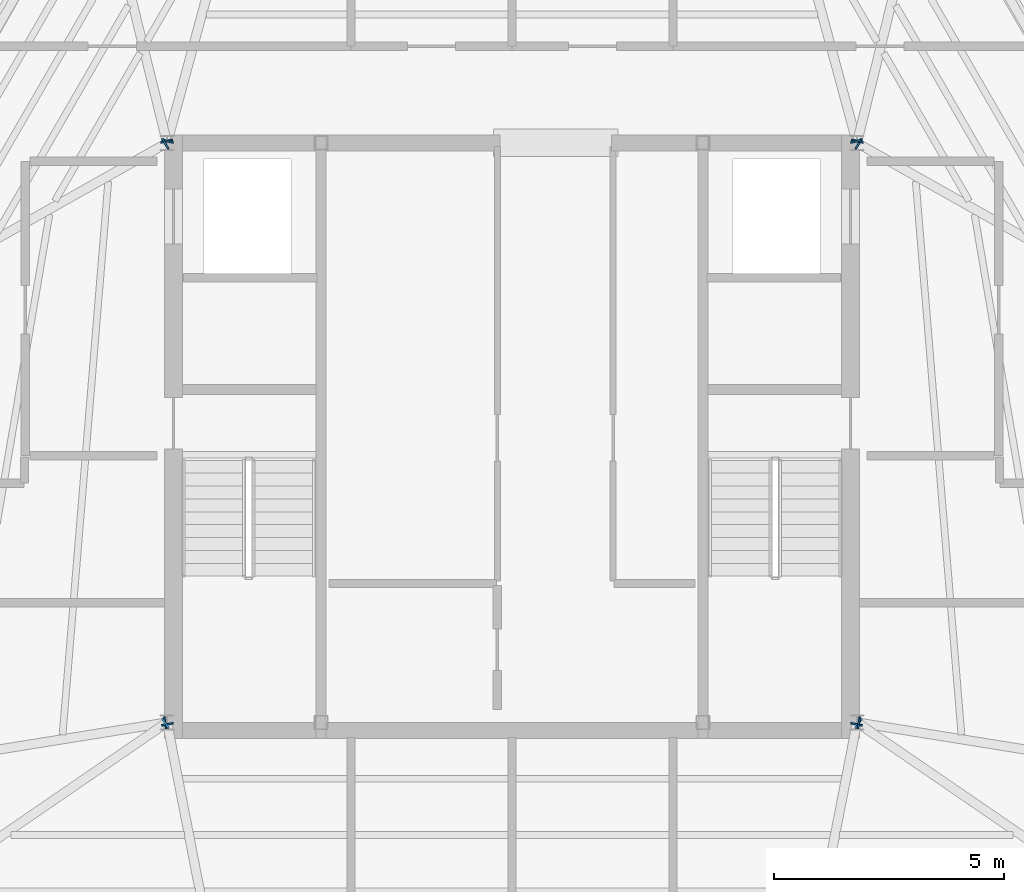
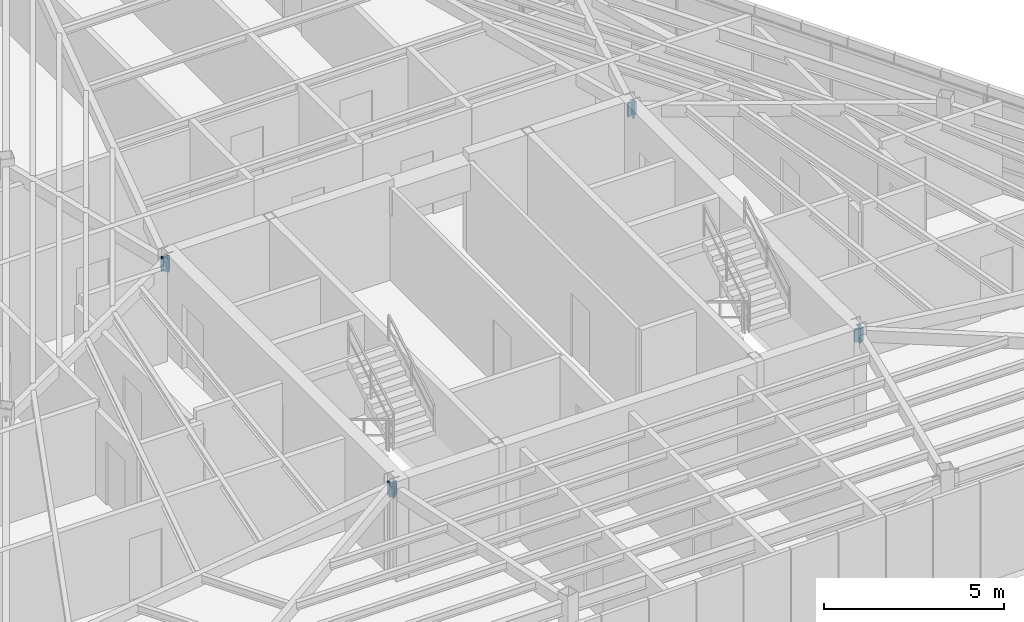
# One storey, part 39 of 44: 12 plates.
"""IFC4 building model written with IfcOpenShell, lengths in metres."""

from ifc_helpers import new_model, si_unit, direction, frame, origin, origin_2d, place, context, subcontext, project, spatial, rectangle, extrude, source, transform, mapped, material, layer, layer_set, type_object, type_shapes, element, save


model = new_model("IFC4")

# Units and contexts
model_context = context("Model", 3, precision=1e-05, world=origin(), true_north=direction((0.0, 1.0)))
body_context = subcontext(model_context, "Body", "Model", "MODEL_VIEW")
ifc_project = project(units=[si_unit("LENGTHUNIT", "METRE"), si_unit("AREAUNIT", "SQUARE_METRE"), si_unit("VOLUMEUNIT", "CUBIC_METRE"), si_unit("PLANEANGLEUNIT", "RADIAN"), si_unit("MASSUNIT", "GRAM", prefix="KILO")], contexts=[model_context])

# Site, building, storey
site_placement = place(None, origin())
site = spatial("IfcSite", under=ifc_project, at=site_placement, CompositionType="ELEMENT")
building_placement = place(site_placement, origin())
building = spatial("IfcBuilding", under=site, at=building_placement, Name="Caelisora Broadcast Tower", CompositionType="ELEMENT")
storey_placement = place(building_placement, frame((0.0, 0.0, 289.800048828125)))
storey = spatial("IfcBuildingStorey", under=building, at=storey_placement, Name="L76", CompositionType="ELEMENT", Elevation=289.800048828125)

# Plates
ifc_material = material(Name="Steel Grade 350 L15 (AS/NZS 3678)", Category="steel")
ifc_layer = layer(ifc_material, 0.0400390625, Name="Steel Grade 350 L15 (AS/NZS 3678)")
ifc_layer_set = layer_set([ifc_layer], Name="Steel Grade 350 L15 (AS/NZS 3678)")
plate_type = type_object("IfcPlateType", Name="GP04", PredefinedType="USERDEFINED", material=ifc_layer_set)
shared_shape = source(origin(), body_context, "Body", "SweptSolid", [
    extrude(rectangle(XDim=0.260009765625, YDim=0.0400390625, at=origin_2d()), origin(), (0.0, 0.0, 1.0), 0.4599609375),
])
type_shapes(plate_type, [shared_shape])
for number, where, z_axis, x_axis, name in (
    (1, (45.489501953125, 30.03857421875, 2.719970703125), (0.0, 0.0, 1.0), (-0.965244930214, -0.261346943155, 0.0), "L76 gusset plate GP04 (ND-RAD-L76-01)"),
    (2, (30.510498046875, 30.03857421875, 2.719970703125), (0.0, 0.0, 1.0), (-0.965244930214, 0.261346943155, 0.0), "L76 gusset plate GP04 (ND-RAD-L76-02)"),
    (3, (30.490478515625, 30.038818359375, 2.719970703125), (0.0, 0.0, 1.0), (-0.970842131618, -0.239719743609, 0.0), "L76 gusset plate GP04 (ND-RAD-L76-03)"),
    (4, (30.465087890625, 29.98046875, 2.719970703125), (0.0, 0.0, 1.0), (0.491055801632, -0.871128118983, 0.0), "L76 gusset plate GP04 (ND-RAD-L76-04)"),
    (5, (30.46044921875, 17.3935546875, 2.719970703125), (0.0, 0.0, 1.0), (0.158847373537, -0.987303150973, 0.0), "L76 gusset plate GP04 (ND-RAD-L76-05)"),
    (6, (30.467041015625, 17.37744140625, 2.719970703125), (0.0, 0.0, 1.0), (0.565254987944, -0.824916237326, 0.0), "L76 gusset plate GP04 (ND-RAD-L76-06)"),
    (7, (30.5078125, 17.360595703125, 2.719970703125), (0.0, 0.0, 1.0), (0.981527141537, 0.191322947989, 0.0), "L76 gusset plate GP04 (ND-RAD-L76-07)"),
    (8, (45.4921875, 17.360595703125, 2.719970703125), (0.0, 0.0, 1.0), (0.981527141537, -0.191322947989, 0.0), "L76 gusset plate GP04 (ND-RAD-L76-08)"),
    (9, (45.532958984375, 17.37744140625, 2.719970703125), (0.0, 0.0, 1.0), (0.565254987944, 0.824916237326, 0.0), "L76 gusset plate GP04 (ND-RAD-L76-09)"),
    (10, (45.53955078125, 17.3935546875, 2.719970703125), (0.0, 0.0, 1.0), (0.158847373537, 0.987303150973, 0.0), "L76 gusset plate GP04 (ND-RAD-L76-10)"),
    (11, (45.534912109375, 29.98046875, 2.719970703125), (0.0, 0.0, 1.0), (0.491055801632, 0.871128118983, 0.0), "L76 gusset plate GP04 (ND-RAD-L76-11)"),
    (12, (45.509521484375, 30.038818359375, 2.719970703125), (0.0, 0.0, 1.0), (-0.970842131618, 0.239719743609, 0.0), "L76 gusset plate GP04 (ND-RAD-L76-12)"),
):
    element("IfcPlate", number, at=place(storey_placement, frame(where, z_axis=z_axis, x_axis=x_axis)), inside=storey, type_object=plate_type, Name=name, ObjectType="GUSSET PLATE", PredefinedType="USERDEFINED", context=body_context, shape_type="MappedRepresentation", body=[
        mapped(shared_shape, transform((0.0, 0.0, 0.0), scale=1.0)),
    ])

save(model, "model.ifc")
